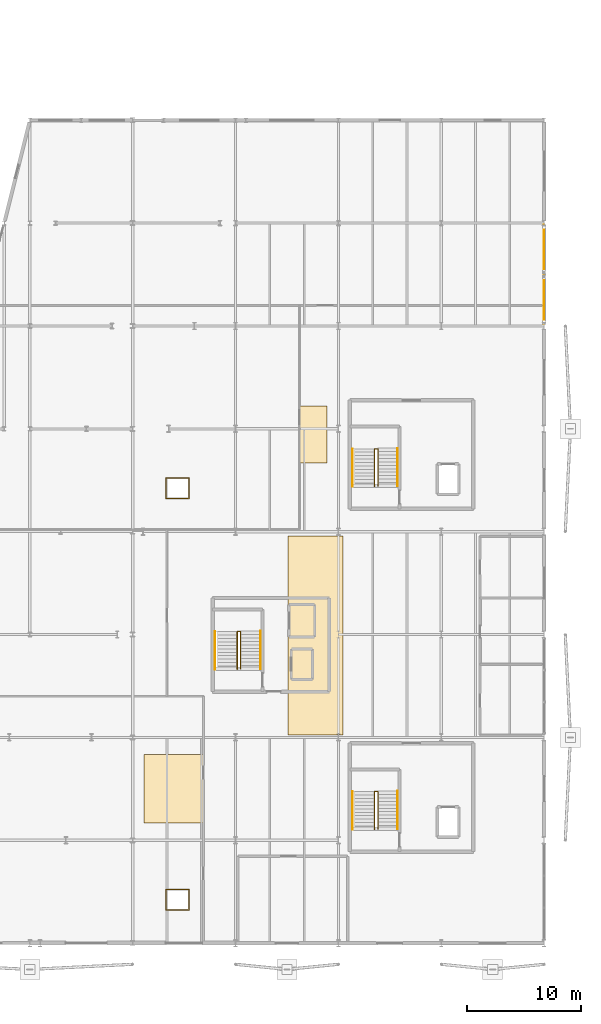
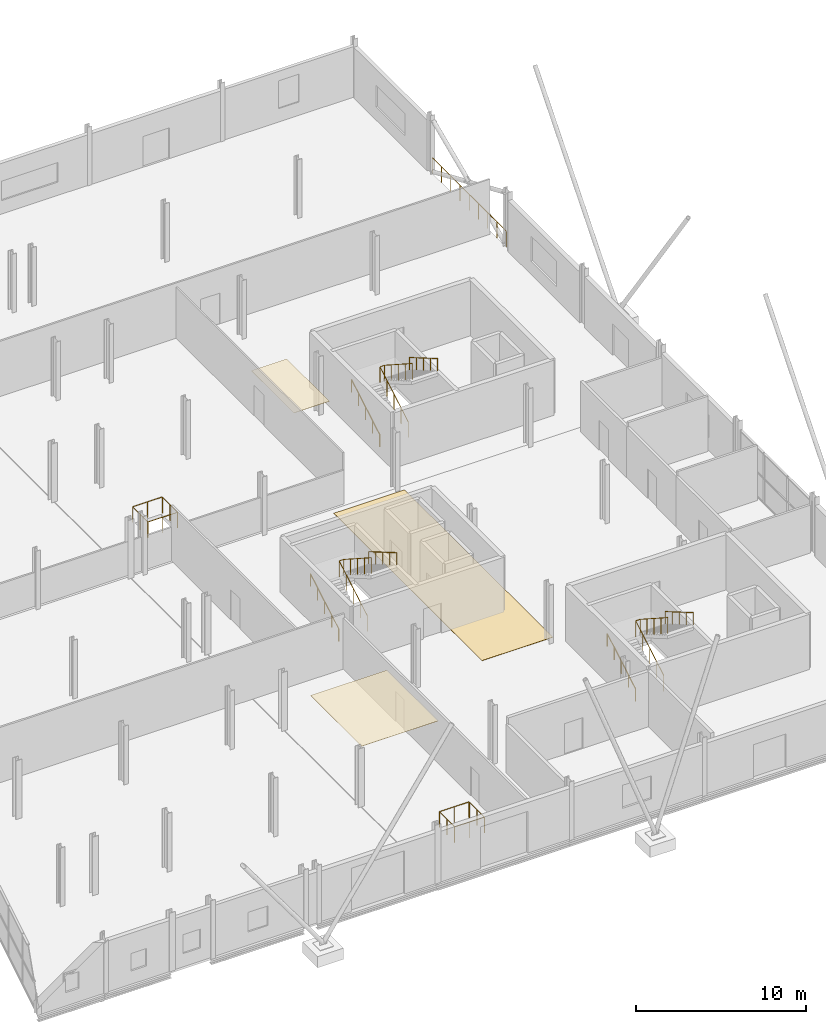
# One storey, part 136 of 140: 14 railings, 3 coverings.
"""IFC4 building model written with IfcOpenShell, lengths in metres."""

from ifc_helpers import new_model, si_unit, direction, frame, origin, origin_2d, place, context, subcontext, project, spatial, polyline, circle, outline, extrude, material, layer, layer_set, type_object, element, save


model = new_model("IFC4")

# Units and contexts
model_context = context("Model", 3, precision=1e-05, world=origin(), true_north=direction((0.0, 1.0)))
body_context = subcontext(model_context, "Body", "Model", "MODEL_VIEW")
ifc_project = project(units=[si_unit("LENGTHUNIT", "METRE"), si_unit("AREAUNIT", "SQUARE_METRE"), si_unit("VOLUMEUNIT", "CUBIC_METRE"), si_unit("PLANEANGLEUNIT", "RADIAN"), si_unit("MASSUNIT", "GRAM", prefix="KILO")], contexts=[model_context])

# Site, building, storey
site_placement = place(None, origin())
site = spatial("IfcSite", under=ifc_project, at=site_placement, CompositionType="ELEMENT")
building_placement = place(site_placement, origin())
building = spatial("IfcBuilding", under=site, at=building_placement, Name="Deido Ridge Mobility Hub", CompositionType="ELEMENT")
storey_placement = place(building_placement, origin())
storey = spatial("IfcBuildingStorey", under=building, at=storey_placement, Name="L00", CompositionType="ELEMENT", Elevation=0.0)

# Coverings
ifc_material_1 = material(Name="Powder-coated aluminium cladding EN AW-3003", Category="aluminium")
ifc_layer_1 = layer(ifc_material_1, 0.02001953125, Name="Powder-coated aluminium cladding EN AW-3003")
ifc_layer_set_1 = layer_set([ifc_layer_1], Name="Powder-coated aluminium cladding EN AW-3003")
covering_type_1 = type_object("IfcCoveringType", Name="COV-CEIL-ALU-20", PredefinedType="CEILING", material=ifc_layer_set_1)
covering_1_placement = place(storey_placement, frame((0.0, 0.0, 2.949951171875)))
element("IfcCovering", 1, at=covering_1_placement, inside=storey, type_object=covering_type_1, Name="Acoustic suspended ceiling CL1 (L00)", PredefinedType="CEILING", context=body_context, shape_type="SweptSolid", body=[
    extrude(outline(polyline([(145.0, 10.5), (150.199951171875, 10.5), (150.199951171875, 16.5), (145.0, 16.5), (145.0, 10.5)])), origin(), (0.0, 0.0, 1.0), 0.02001953125),
])
covering_2_placement = place(storey_placement, frame((0.0, 0.0, 2.949951171875)))
element("IfcCovering", 2, at=covering_2_placement, inside=storey, type_object=covering_type_1, Name="Corridor acoustic ceiling CL1 (L00)", PredefinedType="CEILING", context=body_context, shape_type="SweptSolid", body=[
    extrude(outline(polyline([(158.60009765625, 42.0), (161.0, 42.0), (161.0, 47.0), (158.60009765625, 47.0), (158.60009765625, 42.0)])), origin(), (0.0, 0.0, 1.0), 0.02001953125),
])
ifc_material_2 = material(Name="Epoxy terrazzo floor finish")
ifc_layer_2 = layer(ifc_material_2, 0.02001953125, Name="Epoxy terrazzo floor finish")
ifc_layer_set_2 = layer_set([ifc_layer_2], Name="Epoxy terrazzo floor finish")
covering_type_2 = type_object("IfcCoveringType", Name="COV-FLR-TER-20", PredefinedType="FLOORING", material=ifc_layer_set_2)
covering_3_placement = place(storey_placement, origin())
element("IfcCovering", 3, at=covering_3_placement, inside=storey, type_object=covering_type_2, Name="Epoxy terrazzo corridor flooring FC1 (L00)", PredefinedType="FLOORING", context=body_context, shape_type="SweptSolid", body=[
    extrude(outline(polyline([(157.60009765625, 18.199951171875), (162.39990234375, 18.199951171875), (162.39990234375, 35.60009765625), (157.60009765625, 35.60009765625), (157.60009765625, 18.199951171875)])), origin(), (0.0, 0.0, 1.0), 0.02001953125),
])

# Railings
ifc_material_3 = material(Name="Galvanised steel work", Category="steel")
railing_type_1 = type_object("IfcRailingType", Name="RL-GRD-EXT-1150", PredefinedType="GUARDRAIL", material=ifc_material_3)
railing_1_placement = place(storey_placement, frame((180.0, 54.14990234375, 0.0)))
element("IfcRailing", 4, at=railing_1_placement, inside=storey, type_object=railing_type_1, Name="Braced bay perimeter guard (L00)", PredefinedType="GUARDRAIL", context=body_context, shape_type="SweptSolid", body=[
    extrude(circle(Radius=0.02392578125, at=origin_2d()), frame((0.0, 0.0, 1.1259765625), z_axis=(0.0, 1.0, 0.0), x_axis=(-1.0, 0.0, 0.0)), (0.0, 0.0, 1.0), 8.7001953125),
    extrude(circle(Radius=0.02099609375, at=origin_2d()), origin(), (0.0, 0.0, 1.0), 1.101806640625),
    extrude(circle(Radius=0.02099609375, at=origin_2d()), frame((0.0, 1.08740234375, 0.0)), (0.0, 0.0, 1.0), 1.101806640625),
    extrude(circle(Radius=0.02099609375, at=origin_2d()), frame((0.0, 2.175048828125, 0.0)), (0.0, 0.0, 1.0), 1.101806640625),
    extrude(circle(Radius=0.02099609375, at=origin_2d()), frame((0.0, 3.2626953125, 0.0)), (0.0, 0.0, 1.0), 1.101806640625),
    extrude(circle(Radius=0.02099609375, at=origin_2d()), frame((0.0, 4.35009765625, 0.0)), (0.0, 0.0, 1.0), 1.101806640625),
    extrude(circle(Radius=0.02099609375, at=origin_2d()), frame((0.0, 5.4375, 0.0)), (0.0, 0.0, 1.0), 1.101806640625),
    extrude(circle(Radius=0.02099609375, at=origin_2d()), frame((0.0, 6.525146484375, 0.0)), (0.0, 0.0, 1.0), 1.101806640625),
    extrude(circle(Radius=0.02099609375, at=origin_2d()), frame((0.0, 7.61279296875, 0.0)), (0.0, 0.0, 1.0), 1.101806640625),
    extrude(circle(Radius=0.02099609375, at=origin_2d()), frame((0.0, 8.7001953125, 0.0)), (0.0, 0.0, 1.0), 1.101806640625),
])
railing_2_placement = place(storey_placement, frame((146.925048828125, 2.89990234375, 0.0)))
element("IfcRailing", 5, at=railing_2_placement, inside=storey, type_object=railing_type_1, Name="Service riser shaft guard (L00) A", PredefinedType="GUARDRAIL", context=body_context, shape_type="SweptSolid", body=[
    extrude(circle(Radius=0.02392578125, at=origin_2d()), frame((0.0, 0.0, 1.1259765625), z_axis=(1.0, 0.0, 0.0), x_axis=(0.0, 1.0, 0.0)), (0.0, 0.0, 1.0), 2.0),
    extrude(circle(Radius=0.02392578125, at=origin_2d()), frame((2.0, 0.0, 1.1259765625), z_axis=(0.0, 1.0, 0.0), x_axis=(-1.0, 0.0, 0.0)), (0.0, 0.0, 1.0), 1.739990234375),
    extrude(circle(Radius=0.02099609375, at=origin_2d()), origin(), (0.0, 0.0, 1.0), 1.101806640625),
    extrude(circle(Radius=0.02099609375, at=origin_2d()), frame((1.0, 0.0, 0.0)), (0.0, 0.0, 1.0), 1.101806640625),
    extrude(circle(Radius=0.02099609375, at=origin_2d()), frame((2.0, 0.0, 0.0)), (0.0, 0.0, 1.0), 1.101806640625),
    extrude(circle(Radius=0.02099609375, at=origin_2d()), frame((2.0, 0.8701171875, 0.0)), (0.0, 0.0, 1.0), 1.101806640625),
    extrude(circle(Radius=0.02099609375, at=origin_2d()), frame((2.0, 1.739990234375, 0.0)), (0.0, 0.0, 1.0), 1.101806640625),
])
railing_3_placement = place(storey_placement, frame((148.925048828125, 4.699951171875, 0.0)))
element("IfcRailing", 6, at=railing_3_placement, inside=storey, type_object=railing_type_1, Name="Service riser shaft guard (L00) B", PredefinedType="GUARDRAIL", context=body_context, shape_type="SweptSolid", body=[
    extrude(circle(Radius=0.02392578125, at=origin_2d()), frame((0.0, 0.0, 1.1259765625), z_axis=(-1.0, 0.0, 0.0), x_axis=(0.0, -1.0, 0.0)), (0.0, 0.0, 1.0), 2.0),
    extrude(circle(Radius=0.02392578125, at=origin_2d()), frame((-2.0, 0.0, 1.1259765625), z_axis=(0.0, -1.0, 0.0), x_axis=(1.0, 0.0, 0.0)), (0.0, 0.0, 1.0), 1.739990234375),
    extrude(circle(Radius=0.02099609375, at=origin_2d()), origin(), (0.0, 0.0, 1.0), 1.101806640625),
    extrude(circle(Radius=0.02099609375, at=origin_2d()), frame((-1.0, 0.0, 0.0)), (0.0, 0.0, 1.0), 1.101806640625),
    extrude(circle(Radius=0.02099609375, at=origin_2d()), frame((-2.0, 0.0, 0.0)), (0.0, 0.0, 1.0), 1.101806640625),
    extrude(circle(Radius=0.02099609375, at=origin_2d()), frame((-2.0, -0.8701171875, 0.0)), (0.0, 0.0, 1.0), 1.101806640625),
    extrude(circle(Radius=0.02099609375, at=origin_2d()), frame((-2.0, -1.739990234375, 0.0)), (0.0, 0.0, 1.0), 1.101806640625),
])
railing_4_placement = place(storey_placement, frame((146.925048828125, 38.89990234375, 0.0)))
element("IfcRailing", 7, at=railing_4_placement, inside=storey, type_object=railing_type_1, Name="Service riser shaft guard (L00) A", PredefinedType="GUARDRAIL", context=body_context, shape_type="SweptSolid", body=[
    extrude(circle(Radius=0.02392578125, at=origin_2d()), frame((0.0, 0.0, 1.1259765625), z_axis=(1.0, 0.0, 0.0), x_axis=(0.0, 1.0, 0.0)), (0.0, 0.0, 1.0), 2.0),
    extrude(circle(Radius=0.02392578125, at=origin_2d()), frame((2.0, 0.0, 1.1259765625), z_axis=(0.0, 1.0, 0.0), x_axis=(-1.0, 0.0, 0.0)), (0.0, 0.0, 1.0), 1.739990234375),
    extrude(circle(Radius=0.02099609375, at=origin_2d()), origin(), (0.0, 0.0, 1.0), 1.101806640625),
    extrude(circle(Radius=0.02099609375, at=origin_2d()), frame((1.0, 0.0, 0.0)), (0.0, 0.0, 1.0), 1.101806640625),
    extrude(circle(Radius=0.02099609375, at=origin_2d()), frame((2.0, 0.0, 0.0)), (0.0, 0.0, 1.0), 1.101806640625),
    extrude(circle(Radius=0.02099609375, at=origin_2d()), frame((2.0, 0.8701171875, 0.0)), (0.0, 0.0, 1.0), 1.101806640625),
    extrude(circle(Radius=0.02099609375, at=origin_2d()), frame((2.0, 1.739990234375, 0.0)), (0.0, 0.0, 1.0), 1.101806640625),
])
railing_5_placement = place(storey_placement, frame((148.925048828125, 40.699951171875, 0.0)))
element("IfcRailing", 8, at=railing_5_placement, inside=storey, type_object=railing_type_1, Name="Service riser shaft guard (L00) B", PredefinedType="GUARDRAIL", context=body_context, shape_type="SweptSolid", body=[
    extrude(circle(Radius=0.02392578125, at=origin_2d()), frame((0.0, 0.0, 1.1259765625), z_axis=(-1.0, 0.0, 0.0), x_axis=(0.0, -1.0, 0.0)), (0.0, 0.0, 1.0), 2.0),
    extrude(circle(Radius=0.02392578125, at=origin_2d()), frame((-2.0, 0.0, 1.1259765625), z_axis=(0.0, -1.0, 0.0), x_axis=(1.0, 0.0, 0.0)), (0.0, 0.0, 1.0), 1.739990234375),
    extrude(circle(Radius=0.02099609375, at=origin_2d()), origin(), (0.0, 0.0, 1.0), 1.101806640625),
    extrude(circle(Radius=0.02099609375, at=origin_2d()), frame((-1.0, 0.0, 0.0)), (0.0, 0.0, 1.0), 1.101806640625),
    extrude(circle(Radius=0.02099609375, at=origin_2d()), frame((-2.0, 0.0, 0.0)), (0.0, 0.0, 1.0), 1.101806640625),
    extrude(circle(Radius=0.02099609375, at=origin_2d()), frame((-2.0, -0.8701171875, 0.0)), (0.0, 0.0, 1.0), 1.101806640625),
    extrude(circle(Radius=0.02099609375, at=origin_2d()), frame((-2.0, -1.739990234375, 0.0)), (0.0, 0.0, 1.0), 1.101806640625),
])
railing_type_2 = type_object("IfcRailingType", Name="RL-STAIR-GRD-1150", PredefinedType="GUARDRAIL", material=ifc_material_3)
railing_6_placement = place(storey_placement, frame((165.14990234375, 9.949951171875, 0.175048828125)))
element("IfcRailing", 9, at=railing_6_placement, inside=storey, type_object=railing_type_2, Name="ST1 inner well guard (L00)", PredefinedType="GUARDRAIL", context=body_context, shape_type="SweptSolid", body=[
    extrude(circle(Radius=0.02392578125, at=origin_2d()), frame((0.0, 0.0, 1.1259765625), z_axis=(0.0, 0.863776583165, 0.503874998761), x_axis=(-1.0, 0.0, 0.0)), (0.0, 0.0, 1.0), 3.820556640625),
    extrude(circle(Radius=0.02392578125, at=origin_2d()), frame((0.0, 3.300048828125, 3.05078125), z_axis=(1.0, 0.0, 0.0), x_axis=(0.0, 1.0, 0.0)), (0.0, 0.0, 1.0), 0.300048828125),
    extrude(circle(Radius=0.02392578125, at=origin_2d()), frame((0.300048828125, 3.300048828125, 3.05078125), z_axis=(0.0, -0.839933924917, 0.542688678501), x_axis=(1.0, 0.0, 0.0)), (0.0, 0.0, 1.0), 3.869384765625),
    extrude(circle(Radius=0.02099609375, at=origin_2d()), origin(), (0.0, 0.0, 1.0), 1.101806640625),
    extrude(circle(Radius=0.02099609375, at=origin_2d()), frame((0.0, 0.824951171875, 0.481201171875)), (0.0, 0.0, 1.0), 1.101806640625),
    extrude(circle(Radius=0.02099609375, at=origin_2d()), frame((0.0, 1.64990234375, 0.96240234375)), (0.0, 0.0, 1.0), 1.101806640625),
    extrude(circle(Radius=0.02099609375, at=origin_2d()), frame((0.0, 2.47509765625, 1.44384765625)), (0.0, 0.0, 1.0), 1.101806640625),
    extrude(circle(Radius=0.02099609375, at=origin_2d()), frame((0.0, 3.300048828125, 1.925048828125)), (0.0, 0.0, 1.0), 1.101806640625),
    extrude(circle(Radius=0.02099609375, at=origin_2d()), frame((0.300048828125, 3.300048828125, 1.925048828125)), (0.0, 0.0, 1.0), 1.101806640625),
    extrude(circle(Radius=0.02099609375, at=origin_2d()), frame((0.300048828125, 2.487548828125, 2.449951171875)), (0.0, 0.0, 1.0), 1.101806640625),
    extrude(circle(Radius=0.02099609375, at=origin_2d()), frame((0.300048828125, 1.675048828125, 2.97509765625)), (0.0, 0.0, 1.0), 1.101806640625),
    extrude(circle(Radius=0.02099609375, at=origin_2d()), frame((0.300048828125, 0.862548828125, 3.5)), (0.0, 0.0, 1.0), 1.101806640625),
    extrude(circle(Radius=0.02099609375, at=origin_2d()), frame((0.300048828125, 0.050048828125, 4.02490234375)), (0.0, 0.0, 1.0), 1.101806640625),
])
railing_7_placement = place(storey_placement, frame((165.14990234375, 39.949951171875, 0.175048828125)))
element("IfcRailing", 10, at=railing_7_placement, inside=storey, type_object=railing_type_2, Name="ST2 inner well guard (L00)", PredefinedType="GUARDRAIL", context=body_context, shape_type="SweptSolid", body=[
    extrude(circle(Radius=0.02392578125, at=origin_2d()), frame((0.0, 0.0, 1.1259765625), z_axis=(0.0, 0.863776583165, 0.503874998761), x_axis=(-1.0, 0.0, 0.0)), (0.0, 0.0, 1.0), 3.820556640625),
    extrude(circle(Radius=0.02392578125, at=origin_2d()), frame((0.0, 3.300048828125, 3.05078125), z_axis=(1.0, 0.0, 0.0), x_axis=(0.0, 1.0, 0.0)), (0.0, 0.0, 1.0), 0.300048828125),
    extrude(circle(Radius=0.02392578125, at=origin_2d()), frame((0.300048828125, 3.300048828125, 3.05078125), z_axis=(0.0, -0.839933924917, 0.542688678501), x_axis=(1.0, 0.0, 0.0)), (0.0, 0.0, 1.0), 3.869384765625),
    extrude(circle(Radius=0.02099609375, at=origin_2d()), origin(), (0.0, 0.0, 1.0), 1.101806640625),
    extrude(circle(Radius=0.02099609375, at=origin_2d()), frame((0.0, 0.824951171875, 0.481201171875)), (0.0, 0.0, 1.0), 1.101806640625),
    extrude(circle(Radius=0.02099609375, at=origin_2d()), frame((0.0, 1.64990234375, 0.96240234375)), (0.0, 0.0, 1.0), 1.101806640625),
    extrude(circle(Radius=0.02099609375, at=origin_2d()), frame((0.0, 2.47509765625, 1.44384765625)), (0.0, 0.0, 1.0), 1.101806640625),
    extrude(circle(Radius=0.02099609375, at=origin_2d()), frame((0.0, 3.300048828125, 1.925048828125)), (0.0, 0.0, 1.0), 1.101806640625),
    extrude(circle(Radius=0.02099609375, at=origin_2d()), frame((0.300048828125, 3.300048828125, 1.925048828125)), (0.0, 0.0, 1.0), 1.101806640625),
    extrude(circle(Radius=0.02099609375, at=origin_2d()), frame((0.300048828125, 2.487548828125, 2.449951171875)), (0.0, 0.0, 1.0), 1.101806640625),
    extrude(circle(Radius=0.02099609375, at=origin_2d()), frame((0.300048828125, 1.675048828125, 2.97509765625)), (0.0, 0.0, 1.0), 1.101806640625),
    extrude(circle(Radius=0.02099609375, at=origin_2d()), frame((0.300048828125, 0.862548828125, 3.5)), (0.0, 0.0, 1.0), 1.101806640625),
    extrude(circle(Radius=0.02099609375, at=origin_2d()), frame((0.300048828125, 0.050048828125, 4.02490234375)), (0.0, 0.0, 1.0), 1.101806640625),
])
railing_8_placement = place(storey_placement, frame((153.14990234375, 23.949951171875, 0.175048828125)))
element("IfcRailing", 11, at=railing_8_placement, inside=storey, type_object=railing_type_2, Name="ST3 inner well guard (L00)", PredefinedType="GUARDRAIL", context=body_context, shape_type="SweptSolid", body=[
    extrude(circle(Radius=0.02392578125, at=origin_2d()), frame((0.0, 0.0, 1.1259765625), z_axis=(0.0, 0.863776583165, 0.503874998761), x_axis=(-1.0, 0.0, 0.0)), (0.0, 0.0, 1.0), 3.820556640625),
    extrude(circle(Radius=0.02392578125, at=origin_2d()), frame((0.0, 3.300048828125, 3.05078125), z_axis=(1.0, 0.0, 0.0), x_axis=(0.0, 1.0, 0.0)), (0.0, 0.0, 1.0), 0.300048828125),
    extrude(circle(Radius=0.02392578125, at=origin_2d()), frame((0.300048828125, 3.300048828125, 3.05078125), z_axis=(0.0, -0.839933924917, 0.542688678501), x_axis=(1.0, 0.0, 0.0)), (0.0, 0.0, 1.0), 3.869384765625),
    extrude(circle(Radius=0.02099609375, at=origin_2d()), origin(), (0.0, 0.0, 1.0), 1.101806640625),
    extrude(circle(Radius=0.02099609375, at=origin_2d()), frame((0.0, 0.824951171875, 0.481201171875)), (0.0, 0.0, 1.0), 1.101806640625),
    extrude(circle(Radius=0.02099609375, at=origin_2d()), frame((0.0, 1.64990234375, 0.96240234375)), (0.0, 0.0, 1.0), 1.101806640625),
    extrude(circle(Radius=0.02099609375, at=origin_2d()), frame((0.0, 2.47509765625, 1.44384765625)), (0.0, 0.0, 1.0), 1.101806640625),
    extrude(circle(Radius=0.02099609375, at=origin_2d()), frame((0.0, 3.300048828125, 1.925048828125)), (0.0, 0.0, 1.0), 1.101806640625),
    extrude(circle(Radius=0.02099609375, at=origin_2d()), frame((0.300048828125, 3.300048828125, 1.925048828125)), (0.0, 0.0, 1.0), 1.101806640625),
    extrude(circle(Radius=0.02099609375, at=origin_2d()), frame((0.300048828125, 2.487548828125, 2.449951171875)), (0.0, 0.0, 1.0), 1.101806640625),
    extrude(circle(Radius=0.02099609375, at=origin_2d()), frame((0.300048828125, 1.675048828125, 2.97509765625)), (0.0, 0.0, 1.0), 1.101806640625),
    extrude(circle(Radius=0.02099609375, at=origin_2d()), frame((0.300048828125, 0.862548828125, 3.5)), (0.0, 0.0, 1.0), 1.101806640625),
    extrude(circle(Radius=0.02099609375, at=origin_2d()), frame((0.300048828125, 0.050048828125, 4.02490234375)), (0.0, 0.0, 1.0), 1.101806640625),
])
ifc_material_4 = material(Name="Stainless steel 316", Category="steel")
railing_type_3 = type_object("IfcRailingType", Name="RL-STAIR-HND-900", PredefinedType="HANDRAIL", material=ifc_material_4)
railing_9_placement = place(storey_placement, frame((163.222412109375, 9.949951171875, 0.175048828125)))
element("IfcRailing", 12, at=railing_9_placement, inside=storey, type_object=railing_type_3, Name="ST1 flight 1 handrail (L00)", PredefinedType="HANDRAIL", context=body_context, shape_type="SweptSolid", body=[
    extrude(circle(Radius=0.02392578125, at=origin_2d()), frame((0.0, 0.0, 0.8759765625), z_axis=(0.0, 0.863776583165, 0.503874998761), x_axis=(-1.0, 0.0, 0.0)), (0.0, 0.0, 1.0), 3.820556640625),
    extrude(circle(Radius=0.02099609375, at=origin_2d()), origin(), (0.0, 0.0, 1.0), 0.851806640625),
    extrude(circle(Radius=0.02099609375, at=origin_2d()), frame((0.0, 0.824951171875, 0.481201171875)), (0.0, 0.0, 1.0), 0.851806640625),
    extrude(circle(Radius=0.02099609375, at=origin_2d()), frame((0.0, 1.64990234375, 0.96240234375)), (0.0, 0.0, 1.0), 0.851806640625),
    extrude(circle(Radius=0.02099609375, at=origin_2d()), frame((0.0, 2.47509765625, 1.44384765625)), (0.0, 0.0, 1.0), 0.851806640625),
    extrude(circle(Radius=0.02099609375, at=origin_2d()), frame((0.0, 3.300048828125, 1.925048828125)), (0.0, 0.0, 1.0), 0.851806640625),
])
railing_10_placement = place(storey_placement, frame((167.175048828125, 13.300048828125, 2.27490234375)))
element("IfcRailing", 13, at=railing_10_placement, inside=storey, type_object=railing_type_3, Name="ST1 flight 2 handrail (L00)", PredefinedType="HANDRAIL", context=body_context, shape_type="SweptSolid", body=[
    extrude(circle(Radius=0.02392578125, at=origin_2d()), frame((0.0, 0.0, 0.8759765625), z_axis=(0.0, -0.863776583165, 0.503874998761), x_axis=(1.0, 0.0, 0.0)), (0.0, 0.0, 1.0), 3.820556640625),
    extrude(circle(Radius=0.02099609375, at=origin_2d()), origin(), (0.0, 0.0, 1.0), 0.851806640625),
    extrude(circle(Radius=0.02099609375, at=origin_2d()), frame((0.0, -0.824951171875, 0.481201171875)), (0.0, 0.0, 1.0), 0.851806640625),
    extrude(circle(Radius=0.02099609375, at=origin_2d()), frame((0.0, -1.64990234375, 0.96240234375)), (0.0, 0.0, 1.0), 0.851806640625),
    extrude(circle(Radius=0.02099609375, at=origin_2d()), frame((0.0, -2.47509765625, 1.44384765625)), (0.0, 0.0, 1.0), 0.851806640625),
    extrude(circle(Radius=0.02099609375, at=origin_2d()), frame((0.0, -3.300048828125, 1.925048828125)), (0.0, 0.0, 1.0), 0.851806640625),
])
railing_11_placement = place(storey_placement, frame((163.222412109375, 39.949951171875, 0.175048828125)))
element("IfcRailing", 14, at=railing_11_placement, inside=storey, type_object=railing_type_3, Name="ST2 flight 1 handrail (L00)", PredefinedType="HANDRAIL", context=body_context, shape_type="SweptSolid", body=[
    extrude(circle(Radius=0.02392578125, at=origin_2d()), frame((0.0, 0.0, 0.8759765625), z_axis=(0.0, 0.863776583165, 0.503874998761), x_axis=(-1.0, 0.0, 0.0)), (0.0, 0.0, 1.0), 3.820556640625),
    extrude(circle(Radius=0.02099609375, at=origin_2d()), origin(), (0.0, 0.0, 1.0), 0.851806640625),
    extrude(circle(Radius=0.02099609375, at=origin_2d()), frame((0.0, 0.824951171875, 0.481201171875)), (0.0, 0.0, 1.0), 0.851806640625),
    extrude(circle(Radius=0.02099609375, at=origin_2d()), frame((0.0, 1.64990234375, 0.96240234375)), (0.0, 0.0, 1.0), 0.851806640625),
    extrude(circle(Radius=0.02099609375, at=origin_2d()), frame((0.0, 2.47509765625, 1.44384765625)), (0.0, 0.0, 1.0), 0.851806640625),
    extrude(circle(Radius=0.02099609375, at=origin_2d()), frame((0.0, 3.300048828125, 1.925048828125)), (0.0, 0.0, 1.0), 0.851806640625),
])
railing_12_placement = place(storey_placement, frame((167.175048828125, 43.300048828125, 2.27490234375)))
element("IfcRailing", 15, at=railing_12_placement, inside=storey, type_object=railing_type_3, Name="ST2 flight 2 handrail (L00)", PredefinedType="HANDRAIL", context=body_context, shape_type="SweptSolid", body=[
    extrude(circle(Radius=0.02392578125, at=origin_2d()), frame((0.0, 0.0, 0.8759765625), z_axis=(0.0, -0.863776583165, 0.503874998761), x_axis=(1.0, 0.0, 0.0)), (0.0, 0.0, 1.0), 3.820556640625),
    extrude(circle(Radius=0.02099609375, at=origin_2d()), origin(), (0.0, 0.0, 1.0), 0.851806640625),
    extrude(circle(Radius=0.02099609375, at=origin_2d()), frame((0.0, -0.824951171875, 0.481201171875)), (0.0, 0.0, 1.0), 0.851806640625),
    extrude(circle(Radius=0.02099609375, at=origin_2d()), frame((0.0, -1.64990234375, 0.96240234375)), (0.0, 0.0, 1.0), 0.851806640625),
    extrude(circle(Radius=0.02099609375, at=origin_2d()), frame((0.0, -2.47509765625, 1.44384765625)), (0.0, 0.0, 1.0), 0.851806640625),
    extrude(circle(Radius=0.02099609375, at=origin_2d()), frame((0.0, -3.300048828125, 1.925048828125)), (0.0, 0.0, 1.0), 0.851806640625),
])
railing_13_placement = place(storey_placement, frame((151.2099609375, 23.949951171875, 0.175048828125)))
element("IfcRailing", 16, at=railing_13_placement, inside=storey, type_object=railing_type_3, Name="ST3 flight 1 handrail (L00)", PredefinedType="HANDRAIL", context=body_context, shape_type="SweptSolid", body=[
    extrude(circle(Radius=0.02392578125, at=origin_2d()), frame((0.0, 0.0, 0.8759765625), z_axis=(0.0, 0.863776583165, 0.503874998761), x_axis=(-1.0, 0.0, 0.0)), (0.0, 0.0, 1.0), 3.820556640625),
    extrude(circle(Radius=0.02099609375, at=origin_2d()), origin(), (0.0, 0.0, 1.0), 0.851806640625),
    extrude(circle(Radius=0.02099609375, at=origin_2d()), frame((0.0, 0.824951171875, 0.481201171875)), (0.0, 0.0, 1.0), 0.851806640625),
    extrude(circle(Radius=0.02099609375, at=origin_2d()), frame((0.0, 1.64990234375, 0.96240234375)), (0.0, 0.0, 1.0), 0.851806640625),
    extrude(circle(Radius=0.02099609375, at=origin_2d()), frame((0.0, 2.47509765625, 1.44384765625)), (0.0, 0.0, 1.0), 0.851806640625),
    extrude(circle(Radius=0.02099609375, at=origin_2d()), frame((0.0, 3.300048828125, 1.925048828125)), (0.0, 0.0, 1.0), 0.851806640625),
])
railing_14_placement = place(storey_placement, frame((155.175048828125, 27.300048828125, 2.27490234375)))
element("IfcRailing", 17, at=railing_14_placement, inside=storey, type_object=railing_type_3, Name="ST3 flight 2 handrail (L00)", PredefinedType="HANDRAIL", context=body_context, shape_type="SweptSolid", body=[
    extrude(circle(Radius=0.02392578125, at=origin_2d()), frame((0.0, 0.0, 0.8759765625), z_axis=(0.0, -0.863776583165, 0.503874998761), x_axis=(1.0, 0.0, 0.0)), (0.0, 0.0, 1.0), 3.820556640625),
    extrude(circle(Radius=0.02099609375, at=origin_2d()), origin(), (0.0, 0.0, 1.0), 0.851806640625),
    extrude(circle(Radius=0.02099609375, at=origin_2d()), frame((0.0, -0.824951171875, 0.481201171875)), (0.0, 0.0, 1.0), 0.851806640625),
    extrude(circle(Radius=0.02099609375, at=origin_2d()), frame((0.0, -1.64990234375, 0.96240234375)), (0.0, 0.0, 1.0), 0.851806640625),
    extrude(circle(Radius=0.02099609375, at=origin_2d()), frame((0.0, -2.47509765625, 1.44384765625)), (0.0, 0.0, 1.0), 0.851806640625),
    extrude(circle(Radius=0.02099609375, at=origin_2d()), frame((0.0, -3.300048828125, 1.925048828125)), (0.0, 0.0, 1.0), 0.851806640625),
])

save(model, "model.ifc")
